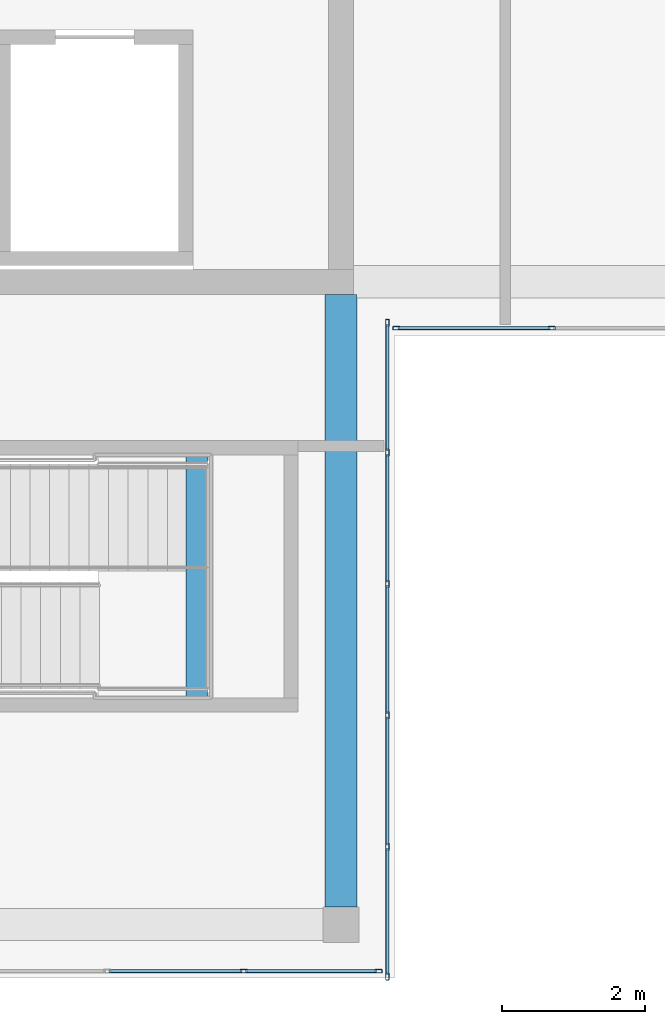
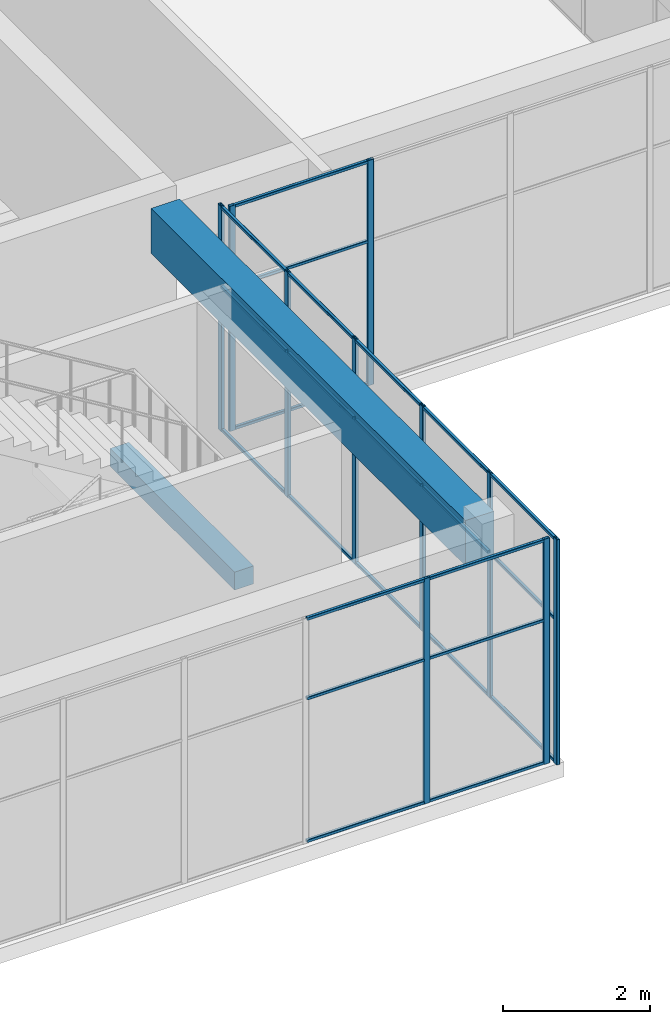
# One storey, part 9 of 34: 34 members, 2 beams, 3 elements without a shape of their own.
"""IFC4 building model written with IfcOpenShell, lengths in metres."""

from ifc_helpers import new_model, si_unit, direction, frame, origin, origin_2d, place, context, subcontext, project, spatial, rectangle, hollow_rectangle, extrude, material, layer, layer_set, material_profile, profile_set, type_object, element, aggregate, save


model = new_model("IFC4")

# Units and contexts
model_context = context("Model", 3, precision=1e-05, world=origin(), true_north=direction((0.0, 1.0)))
body_context = subcontext(model_context, "Body", "Model", "MODEL_VIEW")
ifc_project = project(units=[si_unit("LENGTHUNIT", "METRE"), si_unit("AREAUNIT", "SQUARE_METRE"), si_unit("VOLUMEUNIT", "CUBIC_METRE"), si_unit("PLANEANGLEUNIT", "RADIAN"), si_unit("MASSUNIT", "GRAM", prefix="KILO")], contexts=[model_context])

# Site, building, storey
site_placement = place(None, origin())
site = spatial("IfcSite", under=ifc_project, at=site_placement, CompositionType="ELEMENT")
building_placement = place(site_placement, origin())
building = spatial("IfcBuilding", under=site, at=building_placement, Name="Tuart Plaza Theatre", CompositionType="ELEMENT")
storey_placement = place(building_placement, frame((0.0, 0.0, 57.5)))
storey = spatial("IfcBuildingStorey", under=building, at=storey_placement, Name="L14", CompositionType="ELEMENT", Elevation=57.5)

# Beams
ifc_material_1 = material(Name="Concrete N40 (40 MPa)", Category="concrete")
ifc_material_profile_1 = material_profile(ifc_material_1, rectangle(XDim=0.300048828125, YDim=0.300048828125, at=origin_2d()), Name="BEAM 300x300 Concrete N40 (40 MPa)")
ifc_profile_set_1 = profile_set([ifc_material_profile_1], Name="Concrete N40 (40 MPa)")
beam_type_1 = type_object("IfcBeamType", Name="BEAM 300x300 Concrete N40 (40 MPa)", PredefinedType="BEAM", material=ifc_profile_set_1)
beam_1_placement = place(storey_placement, frame((138.97998046875, 59.175048828125, 1.64990234375), z_axis=(0.0, 1.0, 0.0), x_axis=(-1.0, 0.0, 0.0)))
element("IfcBeam", 1, at=beam_1_placement, inside=storey, type_object=beam_type_1, Name="RB510", PredefinedType="BEAM", context=body_context, shape_type="SweptSolid", body=[
    extrude(rectangle(XDim=0.300048828125, YDim=0.300048828125, at=origin_2d()), origin(), (0.0, 0.0, 1.0), 3.39990234375),
])
ifc_material_2 = material(Name="Concrete N40 (40 MPa)", Category="concrete")
ifc_material_profile_2 = material_profile(ifc_material_2, rectangle(XDim=0.449951171875, YDim=0.75, at=origin_2d()), Name="BEAM 450x750 Concrete N40 (40 MPa)")
ifc_profile_set_2 = profile_set([ifc_material_profile_2], Name="Concrete N40 (40 MPa)")
beam_type_2 = type_object("IfcBeamType", Name="BEAM 450x750 Concrete N40 (40 MPa)", PredefinedType="BEAM", material=ifc_profile_set_2)
beam_2_placement = place(storey_placement, frame((141.0, 56.25, 3.375), z_axis=(0.0, 1.0, 0.0), x_axis=(-1.0, 0.0, 0.0)))
element("IfcBeam", 2, at=beam_2_placement, inside=storey, type_object=beam_type_2, Name="RB339", PredefinedType="BEAM", context=body_context, shape_type="SweptSolid", body=[
    extrude(rectangle(XDim=0.449951171875, YDim=0.75, at=origin_2d()), origin(), (0.0, 0.0, 1.0), 8.574951171875),
])

# Curtain wall, members
ifc_material_3 = material(Name="Aluminium and glass", Category="aluminium")
ifc_layer = layer(ifc_material_3, 0.10009765625)
ifc_layer_set = layer_set([ifc_layer], Name="CURTAIN WALL 2000 module")
curtain_wall_type = type_object("IfcCurtainWallType", Name="CURTAIN WALL 2000 module", PredefinedType="NOTDEFINED", material=ifc_layer_set)
curtain_wall_1_placement = place(storey_placement, origin())
curtain_wall_1 = element("IfcCurtainWall", 3, at=curtain_wall_1_placement, inside=storey, type_object=curtain_wall_type, Name="CW112", PredefinedType="NOTDEFINED")
ifc_material_4 = material(Name="Aluminium 6063-T5", Category="aluminium")
ifc_material_profile_3 = material_profile(ifc_material_4, hollow_rectangle(XDim=0.050048828125, YDim=0.10009765625, WallThickness=0.00390625, InnerFilletRadius=0.00390625, OuterFilletRadius=0.008056640625, at=origin_2d()), Name="RHS 100x50x4")
ifc_profile_set_3 = profile_set([ifc_material_profile_3], Name="Aluminium 6063-T5")
member_type_1 = type_object("IfcMemberType", Name="MULLION RHS 100x50x4", PredefinedType="MULLION", material=ifc_profile_set_3)
member_1_placement = place(storey_placement, frame((141.64990234375, 55.27490234375, 0.0), z_axis=(0.0, 0.0, 1.0), x_axis=(-1.0, 0.0, 0.0)))
member_1 = element("IfcMember", 4, at=member_1_placement, type_object=member_type_1, Name="CW112 mullion 1", PredefinedType="MULLION", context=body_context, shape_type="SweptSolid", body=[
    extrude(hollow_rectangle(XDim=0.050048828125, YDim=0.10009765625, WallThickness=0.00390625, InnerFilletRadius=0.00390625, OuterFilletRadius=0.008056640625, at=origin_2d()), origin(), (0.0, 0.0, 1.0), 3.75),
])
member_2_placement = place(storey_placement, frame((141.64990234375, 57.090087890625, 0.0), z_axis=(0.0, 0.0, 1.0), x_axis=(-1.0, 0.0, 0.0)))
member_2 = element("IfcMember", 5, at=member_2_placement, type_object=member_type_1, Name="CW112 mullion 2", PredefinedType="MULLION", context=body_context, shape_type="SweptSolid", body=[
    extrude(hollow_rectangle(XDim=0.050048828125, YDim=0.10009765625, WallThickness=0.00390625, InnerFilletRadius=0.00390625, OuterFilletRadius=0.008056640625, at=origin_2d()), origin(), (0.0, 0.0, 1.0), 3.75),
])
member_3_placement = place(storey_placement, frame((141.64990234375, 58.929931640625, 0.0), z_axis=(0.0, 0.0, 1.0), x_axis=(-1.0, 0.0, 0.0)))
member_3 = element("IfcMember", 6, at=member_3_placement, type_object=member_type_1, Name="CW112 mullion 3", PredefinedType="MULLION", context=body_context, shape_type="SweptSolid", body=[
    extrude(hollow_rectangle(XDim=0.050048828125, YDim=0.10009765625, WallThickness=0.00390625, InnerFilletRadius=0.00390625, OuterFilletRadius=0.008056640625, at=origin_2d()), origin(), (0.0, 0.0, 1.0), 3.75),
])
member_4_placement = place(storey_placement, frame((141.64990234375, 60.77001953125, 0.0), z_axis=(0.0, 0.0, 1.0), x_axis=(-1.0, 0.0, 0.0)))
member_4 = element("IfcMember", 7, at=member_4_placement, type_object=member_type_1, Name="CW112 mullion 4", PredefinedType="MULLION", context=body_context, shape_type="SweptSolid", body=[
    extrude(hollow_rectangle(XDim=0.050048828125, YDim=0.10009765625, WallThickness=0.00390625, InnerFilletRadius=0.00390625, OuterFilletRadius=0.008056640625, at=origin_2d()), origin(), (0.0, 0.0, 1.0), 3.75),
])
member_5_placement = place(storey_placement, frame((141.64990234375, 62.610107421875, 0.0), z_axis=(0.0, 0.0, 1.0), x_axis=(-1.0, 0.0, 0.0)))
member_5 = element("IfcMember", 8, at=member_5_placement, type_object=member_type_1, Name="CW112 mullion 5", PredefinedType="MULLION", context=body_context, shape_type="SweptSolid", body=[
    extrude(hollow_rectangle(XDim=0.050048828125, YDim=0.10009765625, WallThickness=0.00390625, InnerFilletRadius=0.00390625, OuterFilletRadius=0.008056640625, at=origin_2d()), origin(), (0.0, 0.0, 1.0), 3.75),
])
member_6_placement = place(storey_placement, frame((141.64990234375, 64.425048828125, 0.0), z_axis=(0.0, 0.0, 1.0), x_axis=(-1.0, 0.0, 0.0)))
member_6 = element("IfcMember", 9, at=member_6_placement, type_object=member_type_1, Name="CW112 mullion 6", PredefinedType="MULLION", context=body_context, shape_type="SweptSolid", body=[
    extrude(hollow_rectangle(XDim=0.050048828125, YDim=0.10009765625, WallThickness=0.00390625, InnerFilletRadius=0.00390625, OuterFilletRadius=0.008056640625, at=origin_2d()), origin(), (0.0, 0.0, 1.0), 3.75),
])

curtain_wall_2_placement = place(storey_placement, origin())
curtain_wall_2 = element("IfcCurtainWall", 10, at=curtain_wall_2_placement, inside=storey, type_object=curtain_wall_type, Name="CW113", PredefinedType="NOTDEFINED")
member_7_placement = place(storey_placement, frame((141.77490234375, 64.35009765625, 0.0), z_axis=(0.0, 0.0, 1.0), x_axis=(0.0, 1.0, 0.0)))
member_7 = element("IfcMember", 11, at=member_7_placement, type_object=member_type_1, Name="CW113 mullion 1", PredefinedType="MULLION", context=body_context, shape_type="SweptSolid", body=[
    extrude(hollow_rectangle(XDim=0.050048828125, YDim=0.10009765625, WallThickness=0.00390625, InnerFilletRadius=0.00390625, OuterFilletRadius=0.008056640625, at=origin_2d()), origin(), (0.0, 0.0, 1.0), 3.75),
])
member_8_placement = place(storey_placement, frame((143.949951171875, 64.35009765625, 0.0), z_axis=(0.0, 0.0, 1.0), x_axis=(0.0, 1.0, 0.0)))
member_8 = element("IfcMember", 12, at=member_8_placement, type_object=member_type_1, Name="CW113 mullion 2", PredefinedType="MULLION", context=body_context, shape_type="SweptSolid", body=[
    extrude(hollow_rectangle(XDim=0.050048828125, YDim=0.10009765625, WallThickness=0.00390625, InnerFilletRadius=0.00390625, OuterFilletRadius=0.008056640625, at=origin_2d()), origin(), (0.0, 0.0, 1.0), 3.75),
])

curtain_wall_3_placement = place(storey_placement, origin())
curtain_wall_3 = element("IfcCurtainWall", 13, at=curtain_wall_3_placement, inside=storey, type_object=curtain_wall_type, Name="CW122", PredefinedType="NOTDEFINED")
member_9_placement = place(storey_placement, frame((139.639892578125, 55.35009765625, 0.0), z_axis=(0.0, 0.0, 1.0), x_axis=(0.0, 1.0, 0.0)))
member_9 = element("IfcMember", 14, at=member_9_placement, type_object=member_type_1, Name="CW122 mullion 10", PredefinedType="MULLION", context=body_context, shape_type="SweptSolid", body=[
    extrude(hollow_rectangle(XDim=0.050048828125, YDim=0.10009765625, WallThickness=0.00390625, InnerFilletRadius=0.00390625, OuterFilletRadius=0.008056640625, at=origin_2d()), origin(), (0.0, 0.0, 1.0), 3.75),
])
member_10_placement = place(storey_placement, frame((141.52490234375, 55.35009765625, 0.0), z_axis=(0.0, 0.0, 1.0), x_axis=(0.0, 1.0, 0.0)))
member_10 = element("IfcMember", 15, at=member_10_placement, type_object=member_type_1, Name="CW122 mullion 11", PredefinedType="MULLION", context=body_context, shape_type="SweptSolid", body=[
    extrude(hollow_rectangle(XDim=0.050048828125, YDim=0.10009765625, WallThickness=0.00390625, InnerFilletRadius=0.00390625, OuterFilletRadius=0.008056640625, at=origin_2d()), origin(), (0.0, 0.0, 1.0), 3.75),
])

# Member
ifc_material_5 = material(Name="Aluminium 6063-T5", Category="aluminium")
ifc_material_profile_4 = material_profile(ifc_material_5, hollow_rectangle(XDim=0.050048828125, YDim=0.050048828125, WallThickness=0.00390625, InnerFilletRadius=0.00390625, OuterFilletRadius=0.008056640625, at=origin_2d()), Name="RHS 50x50x4")
ifc_profile_set_4 = profile_set([ifc_material_profile_4], Name="Aluminium 6063-T5")
member_type_2 = type_object("IfcMemberType", Name="TRANSOM RHS 50x50x4", PredefinedType="USERDEFINED", material=ifc_profile_set_4)
member_11_placement = place(storey_placement, frame((141.64990234375, 55.300048828125, 0.02490234375), z_axis=(0.0, 1.0, 0.0), x_axis=(-1.0, 0.0, 0.0)))
member_11 = element("IfcMember", 16, at=member_11_placement, type_object=member_type_2, Name="CW112 transom 1.1", ObjectType="TRANSOM", PredefinedType="USERDEFINED", context=body_context, shape_type="SweptSolid", body=[
    extrude(hollow_rectangle(XDim=0.050048828125, YDim=0.050048828125, WallThickness=0.00390625, InnerFilletRadius=0.00390625, OuterFilletRadius=0.008056640625, at=origin_2d()), origin(), (0.0, 0.0, 1.0), 1.764892578125),
])

member_12_placement = place(storey_placement, frame((141.64990234375, 55.300048828125, 2.39990234375), z_axis=(0.0, 1.0, 0.0), x_axis=(-1.0, 0.0, 0.0)))
member_12 = element("IfcMember", 17, at=member_12_placement, type_object=member_type_2, Name="CW112 transom 1.2", ObjectType="TRANSOM", PredefinedType="USERDEFINED", context=body_context, shape_type="SweptSolid", body=[
    extrude(hollow_rectangle(XDim=0.050048828125, YDim=0.050048828125, WallThickness=0.00390625, InnerFilletRadius=0.00390625, OuterFilletRadius=0.008056640625, at=origin_2d()), origin(), (0.0, 0.0, 1.0), 1.764892578125),
])

member_13_placement = place(storey_placement, frame((141.64990234375, 55.300048828125, 3.72509765625), z_axis=(0.0, 1.0, 0.0), x_axis=(-1.0, 0.0, 0.0)))
member_13 = element("IfcMember", 18, at=member_13_placement, type_object=member_type_2, Name="CW112 transom 1.3", ObjectType="TRANSOM", PredefinedType="USERDEFINED", context=body_context, shape_type="SweptSolid", body=[
    extrude(hollow_rectangle(XDim=0.050048828125, YDim=0.050048828125, WallThickness=0.00390625, InnerFilletRadius=0.00390625, OuterFilletRadius=0.008056640625, at=origin_2d()), origin(), (0.0, 0.0, 1.0), 1.764892578125),
])

member_14_placement = place(storey_placement, frame((141.64990234375, 57.114990234375, 0.02490234375), z_axis=(0.0, 1.0, 0.0), x_axis=(-1.0, 0.0, 0.0)))
member_14 = element("IfcMember", 19, at=member_14_placement, type_object=member_type_2, Name="CW112 transom 2.1", ObjectType="TRANSOM", PredefinedType="USERDEFINED", context=body_context, shape_type="SweptSolid", body=[
    extrude(hollow_rectangle(XDim=0.050048828125, YDim=0.050048828125, WallThickness=0.00390625, InnerFilletRadius=0.00390625, OuterFilletRadius=0.008056640625, at=origin_2d()), origin(), (0.0, 0.0, 1.0), 1.7900390625),
])

member_15_placement = place(storey_placement, frame((141.64990234375, 57.114990234375, 2.39990234375), z_axis=(0.0, 1.0, 0.0), x_axis=(-1.0, 0.0, 0.0)))
member_15 = element("IfcMember", 20, at=member_15_placement, type_object=member_type_2, Name="CW112 transom 2.2", ObjectType="TRANSOM", PredefinedType="USERDEFINED", context=body_context, shape_type="SweptSolid", body=[
    extrude(hollow_rectangle(XDim=0.050048828125, YDim=0.050048828125, WallThickness=0.00390625, InnerFilletRadius=0.00390625, OuterFilletRadius=0.008056640625, at=origin_2d()), origin(), (0.0, 0.0, 1.0), 1.7900390625),
])

member_16_placement = place(storey_placement, frame((141.64990234375, 57.114990234375, 3.72509765625), z_axis=(0.0, 1.0, 0.0), x_axis=(-1.0, 0.0, 0.0)))
member_16 = element("IfcMember", 21, at=member_16_placement, type_object=member_type_2, Name="CW112 transom 2.3", ObjectType="TRANSOM", PredefinedType="USERDEFINED", context=body_context, shape_type="SweptSolid", body=[
    extrude(hollow_rectangle(XDim=0.050048828125, YDim=0.050048828125, WallThickness=0.00390625, InnerFilletRadius=0.00390625, OuterFilletRadius=0.008056640625, at=origin_2d()), origin(), (0.0, 0.0, 1.0), 1.7900390625),
])

member_17_placement = place(storey_placement, frame((141.64990234375, 58.955078125, 0.02490234375), z_axis=(0.0, 1.0, 0.0), x_axis=(-1.0, 0.0, 0.0)))
member_17 = element("IfcMember", 22, at=member_17_placement, type_object=member_type_2, Name="CW112 transom 3.1", ObjectType="TRANSOM", PredefinedType="USERDEFINED", context=body_context, shape_type="SweptSolid", body=[
    extrude(hollow_rectangle(XDim=0.050048828125, YDim=0.050048828125, WallThickness=0.00390625, InnerFilletRadius=0.00390625, OuterFilletRadius=0.008056640625, at=origin_2d()), origin(), (0.0, 0.0, 1.0), 1.7900390625),
])

member_18_placement = place(storey_placement, frame((141.64990234375, 58.955078125, 2.39990234375), z_axis=(0.0, 1.0, 0.0), x_axis=(-1.0, 0.0, 0.0)))
member_18 = element("IfcMember", 23, at=member_18_placement, type_object=member_type_2, Name="CW112 transom 3.2", ObjectType="TRANSOM", PredefinedType="USERDEFINED", context=body_context, shape_type="SweptSolid", body=[
    extrude(hollow_rectangle(XDim=0.050048828125, YDim=0.050048828125, WallThickness=0.00390625, InnerFilletRadius=0.00390625, OuterFilletRadius=0.008056640625, at=origin_2d()), origin(), (0.0, 0.0, 1.0), 1.7900390625),
])

member_19_placement = place(storey_placement, frame((141.64990234375, 58.955078125, 3.72509765625), z_axis=(0.0, 1.0, 0.0), x_axis=(-1.0, 0.0, 0.0)))
member_19 = element("IfcMember", 24, at=member_19_placement, type_object=member_type_2, Name="CW112 transom 3.3", ObjectType="TRANSOM", PredefinedType="USERDEFINED", context=body_context, shape_type="SweptSolid", body=[
    extrude(hollow_rectangle(XDim=0.050048828125, YDim=0.050048828125, WallThickness=0.00390625, InnerFilletRadius=0.00390625, OuterFilletRadius=0.008056640625, at=origin_2d()), origin(), (0.0, 0.0, 1.0), 1.7900390625),
])

member_20_placement = place(storey_placement, frame((141.64990234375, 60.794921875, 0.02490234375), z_axis=(0.0, 1.0, 0.0), x_axis=(-1.0, 0.0, 0.0)))
member_20 = element("IfcMember", 25, at=member_20_placement, type_object=member_type_2, Name="CW112 transom 4.1", ObjectType="TRANSOM", PredefinedType="USERDEFINED", context=body_context, shape_type="SweptSolid", body=[
    extrude(hollow_rectangle(XDim=0.050048828125, YDim=0.050048828125, WallThickness=0.00390625, InnerFilletRadius=0.00390625, OuterFilletRadius=0.008056640625, at=origin_2d()), origin(), (0.0, 0.0, 1.0), 1.7900390625),
])

member_21_placement = place(storey_placement, frame((141.64990234375, 60.794921875, 2.39990234375), z_axis=(0.0, 1.0, 0.0), x_axis=(-1.0, 0.0, 0.0)))
member_21 = element("IfcMember", 26, at=member_21_placement, type_object=member_type_2, Name="CW112 transom 4.2", ObjectType="TRANSOM", PredefinedType="USERDEFINED", context=body_context, shape_type="SweptSolid", body=[
    extrude(hollow_rectangle(XDim=0.050048828125, YDim=0.050048828125, WallThickness=0.00390625, InnerFilletRadius=0.00390625, OuterFilletRadius=0.008056640625, at=origin_2d()), origin(), (0.0, 0.0, 1.0), 1.7900390625),
])

member_22_placement = place(storey_placement, frame((141.64990234375, 60.794921875, 3.72509765625), z_axis=(0.0, 1.0, 0.0), x_axis=(-1.0, 0.0, 0.0)))
member_22 = element("IfcMember", 27, at=member_22_placement, type_object=member_type_2, Name="CW112 transom 4.3", ObjectType="TRANSOM", PredefinedType="USERDEFINED", context=body_context, shape_type="SweptSolid", body=[
    extrude(hollow_rectangle(XDim=0.050048828125, YDim=0.050048828125, WallThickness=0.00390625, InnerFilletRadius=0.00390625, OuterFilletRadius=0.008056640625, at=origin_2d()), origin(), (0.0, 0.0, 1.0), 1.7900390625),
])

member_23_placement = place(storey_placement, frame((141.64990234375, 62.635009765625, 0.02490234375), z_axis=(0.0, 1.0, 0.0), x_axis=(-1.0, 0.0, 0.0)))
member_23 = element("IfcMember", 28, at=member_23_placement, type_object=member_type_2, Name="CW112 transom 5.1", ObjectType="TRANSOM", PredefinedType="USERDEFINED", context=body_context, shape_type="SweptSolid", body=[
    extrude(hollow_rectangle(XDim=0.050048828125, YDim=0.050048828125, WallThickness=0.00390625, InnerFilletRadius=0.00390625, OuterFilletRadius=0.008056640625, at=origin_2d()), origin(), (0.0, 0.0, 1.0), 1.764892578125),
])

member_24_placement = place(storey_placement, frame((141.64990234375, 62.635009765625, 2.39990234375), z_axis=(0.0, 1.0, 0.0), x_axis=(-1.0, 0.0, 0.0)))
member_24 = element("IfcMember", 29, at=member_24_placement, type_object=member_type_2, Name="CW112 transom 5.2", ObjectType="TRANSOM", PredefinedType="USERDEFINED", context=body_context, shape_type="SweptSolid", body=[
    extrude(hollow_rectangle(XDim=0.050048828125, YDim=0.050048828125, WallThickness=0.00390625, InnerFilletRadius=0.00390625, OuterFilletRadius=0.008056640625, at=origin_2d()), origin(), (0.0, 0.0, 1.0), 1.764892578125),
])

member_25_placement = place(storey_placement, frame((141.64990234375, 62.635009765625, 3.72509765625), z_axis=(0.0, 1.0, 0.0), x_axis=(-1.0, 0.0, 0.0)))
member_25 = element("IfcMember", 30, at=member_25_placement, type_object=member_type_2, Name="CW112 transom 5.3", ObjectType="TRANSOM", PredefinedType="USERDEFINED", context=body_context, shape_type="SweptSolid", body=[
    extrude(hollow_rectangle(XDim=0.050048828125, YDim=0.050048828125, WallThickness=0.00390625, InnerFilletRadius=0.00390625, OuterFilletRadius=0.008056640625, at=origin_2d()), origin(), (0.0, 0.0, 1.0), 1.764892578125),
])

aggregate(curtain_wall_1, [member_1, member_2, member_3, member_4, member_5, member_6, member_11, member_12, member_13, member_14, member_15, member_16, member_17, member_18, member_19, member_20, member_21, member_22, member_23, member_24, member_25])

member_26_placement = place(storey_placement, frame((141.800048828125, 64.35009765625, 0.02490234375), z_axis=(1.0, 0.0, 0.0), x_axis=(0.0, 1.0, 0.0)))
member_26 = element("IfcMember", 31, at=member_26_placement, type_object=member_type_2, Name="CW113 transom 1.1", ObjectType="TRANSOM", PredefinedType="USERDEFINED", context=body_context, shape_type="SweptSolid", body=[
    extrude(hollow_rectangle(XDim=0.050048828125, YDim=0.050048828125, WallThickness=0.00390625, InnerFilletRadius=0.00390625, OuterFilletRadius=0.008056640625, at=origin_2d()), origin(), (0.0, 0.0, 1.0), 2.125),
])

member_27_placement = place(storey_placement, frame((141.800048828125, 64.35009765625, 2.39990234375), z_axis=(1.0, 0.0, 0.0), x_axis=(0.0, 1.0, 0.0)))
member_27 = element("IfcMember", 32, at=member_27_placement, type_object=member_type_2, Name="CW113 transom 1.2", ObjectType="TRANSOM", PredefinedType="USERDEFINED", context=body_context, shape_type="SweptSolid", body=[
    extrude(hollow_rectangle(XDim=0.050048828125, YDim=0.050048828125, WallThickness=0.00390625, InnerFilletRadius=0.00390625, OuterFilletRadius=0.008056640625, at=origin_2d()), origin(), (0.0, 0.0, 1.0), 2.125),
])

member_28_placement = place(storey_placement, frame((141.800048828125, 64.35009765625, 3.72509765625), z_axis=(1.0, 0.0, 0.0), x_axis=(0.0, 1.0, 0.0)))
member_28 = element("IfcMember", 33, at=member_28_placement, type_object=member_type_2, Name="CW113 transom 1.3", ObjectType="TRANSOM", PredefinedType="USERDEFINED", context=body_context, shape_type="SweptSolid", body=[
    extrude(hollow_rectangle(XDim=0.050048828125, YDim=0.050048828125, WallThickness=0.00390625, InnerFilletRadius=0.00390625, OuterFilletRadius=0.008056640625, at=origin_2d()), origin(), (0.0, 0.0, 1.0), 2.125),
])

aggregate(curtain_wall_2, [member_7, member_8, member_26, member_27, member_28])

member_29_placement = place(storey_placement, frame((137.7548828125, 55.35009765625, 0.02490234375), z_axis=(1.0, 0.0, 0.0), x_axis=(0.0, 1.0, 0.0)))
member_29 = element("IfcMember", 34, at=member_29_placement, type_object=member_type_2, Name="CW122 transom 9.1", ObjectType="TRANSOM", PredefinedType="USERDEFINED", context=body_context, shape_type="SweptSolid", body=[
    extrude(hollow_rectangle(XDim=0.050048828125, YDim=0.050048828125, WallThickness=0.00390625, InnerFilletRadius=0.00390625, OuterFilletRadius=0.008056640625, at=origin_2d()), origin(), (0.0, 0.0, 1.0), 1.860107421875),
])

member_30_placement = place(storey_placement, frame((137.7548828125, 55.35009765625, 2.39990234375), z_axis=(1.0, 0.0, 0.0), x_axis=(0.0, 1.0, 0.0)))
member_30 = element("IfcMember", 35, at=member_30_placement, type_object=member_type_2, Name="CW122 transom 9.2", ObjectType="TRANSOM", PredefinedType="USERDEFINED", context=body_context, shape_type="SweptSolid", body=[
    extrude(hollow_rectangle(XDim=0.050048828125, YDim=0.050048828125, WallThickness=0.00390625, InnerFilletRadius=0.00390625, OuterFilletRadius=0.008056640625, at=origin_2d()), origin(), (0.0, 0.0, 1.0), 1.860107421875),
])

member_31_placement = place(storey_placement, frame((137.7548828125, 55.35009765625, 3.72509765625), z_axis=(1.0, 0.0, 0.0), x_axis=(0.0, 1.0, 0.0)))
member_31 = element("IfcMember", 36, at=member_31_placement, type_object=member_type_2, Name="CW122 transom 9.3", ObjectType="TRANSOM", PredefinedType="USERDEFINED", context=body_context, shape_type="SweptSolid", body=[
    extrude(hollow_rectangle(XDim=0.050048828125, YDim=0.050048828125, WallThickness=0.00390625, InnerFilletRadius=0.00390625, OuterFilletRadius=0.008056640625, at=origin_2d()), origin(), (0.0, 0.0, 1.0), 1.860107421875),
])

member_32_placement = place(storey_placement, frame((139.6650390625, 55.35009765625, 0.02490234375), z_axis=(1.0, 0.0, 0.0), x_axis=(0.0, 1.0, 0.0)))
member_32 = element("IfcMember", 37, at=member_32_placement, type_object=member_type_2, Name="CW122 transom 10.1", ObjectType="TRANSOM", PredefinedType="USERDEFINED", context=body_context, shape_type="SweptSolid", body=[
    extrude(hollow_rectangle(XDim=0.050048828125, YDim=0.050048828125, WallThickness=0.00390625, InnerFilletRadius=0.00390625, OuterFilletRadius=0.008056640625, at=origin_2d()), origin(), (0.0, 0.0, 1.0), 1.8349609375),
])

member_33_placement = place(storey_placement, frame((139.6650390625, 55.35009765625, 2.39990234375), z_axis=(1.0, 0.0, 0.0), x_axis=(0.0, 1.0, 0.0)))
member_33 = element("IfcMember", 38, at=member_33_placement, type_object=member_type_2, Name="CW122 transom 10.2", ObjectType="TRANSOM", PredefinedType="USERDEFINED", context=body_context, shape_type="SweptSolid", body=[
    extrude(hollow_rectangle(XDim=0.050048828125, YDim=0.050048828125, WallThickness=0.00390625, InnerFilletRadius=0.00390625, OuterFilletRadius=0.008056640625, at=origin_2d()), origin(), (0.0, 0.0, 1.0), 1.8349609375),
])

member_34_placement = place(storey_placement, frame((139.6650390625, 55.35009765625, 3.72509765625), z_axis=(1.0, 0.0, 0.0), x_axis=(0.0, 1.0, 0.0)))
member_34 = element("IfcMember", 39, at=member_34_placement, type_object=member_type_2, Name="CW122 transom 10.3", ObjectType="TRANSOM", PredefinedType="USERDEFINED", context=body_context, shape_type="SweptSolid", body=[
    extrude(hollow_rectangle(XDim=0.050048828125, YDim=0.050048828125, WallThickness=0.00390625, InnerFilletRadius=0.00390625, OuterFilletRadius=0.008056640625, at=origin_2d()), origin(), (0.0, 0.0, 1.0), 1.8349609375),
])

aggregate(curtain_wall_3, [member_9, member_10, member_29, member_30, member_31, member_32, member_33, member_34])

save(model, "model.ifc")
